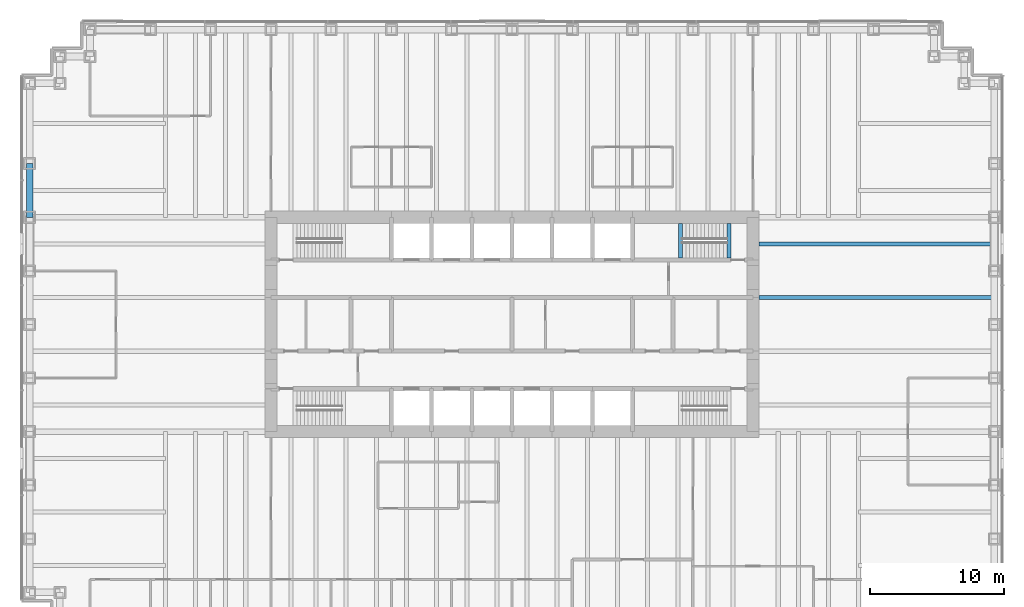
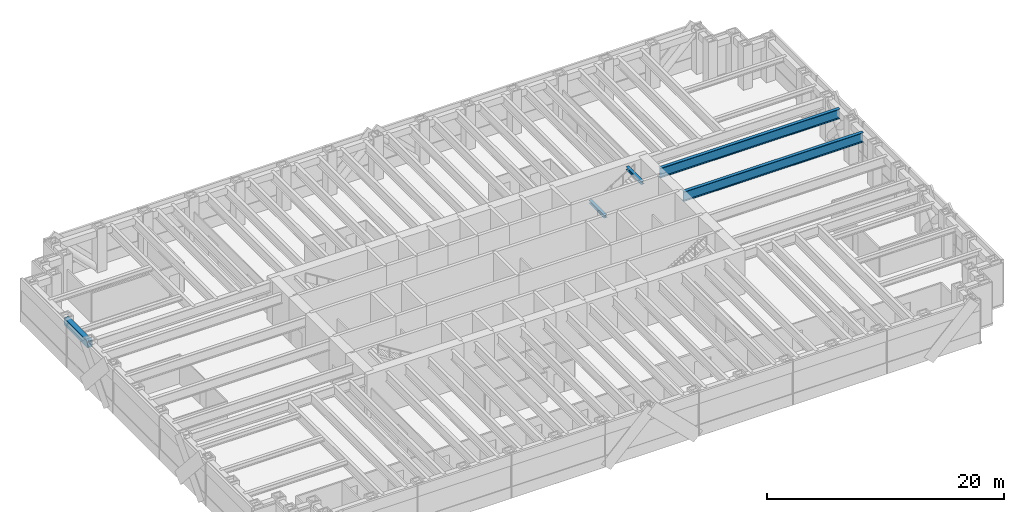
# One storey, part 4 of 13: 5 beams.
"""IFC4 building model written with IfcOpenShell, lengths in metres."""

from ifc_helpers import new_model, si_unit, direction, frame, origin, origin_2d, place, context, subcontext, project, spatial, hollow_rectangle, i_section, extrude, material, material_profile, profile_set, type_object, element, save


model = new_model("IFC4")

# Units and contexts
model_context = context("Model", 3, precision=1e-05, world=origin(), true_north=direction((0.0, 1.0)))
body_context = subcontext(model_context, "Body", "Model", "MODEL_VIEW")
ifc_project = project(units=[si_unit("LENGTHUNIT", "METRE"), si_unit("AREAUNIT", "SQUARE_METRE"), si_unit("VOLUMEUNIT", "CUBIC_METRE"), si_unit("PLANEANGLEUNIT", "RADIAN"), si_unit("MASSUNIT", "GRAM", prefix="KILO")], contexts=[model_context])

# Site, building, storey
site_placement = place(None, origin())
site = spatial("IfcSite", under=ifc_project, at=site_placement, CompositionType="ELEMENT")
building_placement = place(site_placement, origin())
building = spatial("IfcBuilding", under=site, at=building_placement, Name="Rheinbord Bourse Tower", CompositionType="ELEMENT")
storey_placement = place(building_placement, frame((0.0, 0.0, 90.5)))
storey = spatial("IfcBuildingStorey", under=building, at=storey_placement, Name="L19", CompositionType="ELEMENT", Elevation=90.5)

# Beams
ifc_material_1 = material(Name="Steel S460M", Category="steel")
ifc_material_profile_1 = material_profile(ifc_material_1, hollow_rectangle(XDim=0.5, YDim=0.699951171875, WallThickness=0.0400390625, at=origin_2d()), Name="BOX 700x500x40")
ifc_profile_set_1 = profile_set([ifc_material_profile_1], Name="Steel S460M")
beam_type_1 = type_object("IfcBeamType", Name="BELT CHORD BOX 700x500x40", PredefinedType="SPANDREL", material=ifc_profile_set_1)
beam_placement = place(storey_placement, frame((0.0, 36.0, 3.89990234375), z_axis=(0.0, -1.0, 0.0), x_axis=(1.0, 0.0, 0.0)))
element("IfcBeam", 1, at=beam_placement, inside=storey, type_object=beam_type_1, Name="Spandrel W-36-W-32 under L20", PredefinedType="SPANDREL", context=body_context, shape_type="SweptSolid", body=[
    extrude(hollow_rectangle(XDim=0.5, YDim=0.699951171875, WallThickness=0.0400390625, at=origin_2d()), origin(), (0.0, 0.0, 1.0), 4.0),
])
ifc_material_2 = material(Name="Steel S460", Category="steel")
ifc_material_profile_2 = material_profile(ifc_material_2, i_section(OverallWidth=0.302001953125, OverallDepth=1.008056640625, WebThickness=0.02099609375, FlangeThickness=0.0400390625, at=origin_2d()), Name="HEM 1000")
ifc_profile_set_2 = profile_set([ifc_material_profile_2], Name="Steel S460")
beam_type_2 = type_object("IfcBeamType", Name="END BEAM HEM 1000", PredefinedType="BEAM", material=ifc_profile_set_2)
for number, where, z_axis, x_axis, name in (
    (2, (54.449951171875, 26.0, 3.74609375), (1.0, 0.0, 0.0), (0.0, 1.0, 0.0), "End beam east 26 L20"),
    (3, (54.449951171875, 30.0, 3.74609375), (1.0, 0.0, 0.0), (0.0, 1.0, 0.0), "End beam east 30 L20"),
):
    element("IfcBeam", number, at=place(storey_placement, frame(where, z_axis=z_axis, x_axis=x_axis)), inside=storey, type_object=beam_type_2, Name=name, PredefinedType="BEAM", context=body_context, shape_type="SweptSolid", body=[
        extrude(i_section(OverallWidth=0.302001953125, OverallDepth=1.008056640625, WebThickness=0.02099609375, FlangeThickness=0.0400390625, at=origin_2d()), origin(), (0.0, 0.0, 1.0), 17.550048828125),
    ])
ifc_material_3 = material(Name="Steel S460", Category="steel")
ifc_material_profile_3 = material_profile(ifc_material_3, i_section(OverallWidth=0.300048828125, OverallDepth=0.300048828125, WebThickness=0.010986328125, FlangeThickness=0.01904296875, at=origin_2d()), Name="HEB 300")
ifc_profile_set_3 = profile_set([ifc_material_profile_3], Name="Steel S460")
beam_type_3 = type_object("IfcBeamType", Name="LANDING TRIMMER HEB 300", PredefinedType="BEAM", material=ifc_profile_set_3)
for number, where, z_axis, x_axis, name in (
    (4, (48.590087890625, 28.949951171875, 1.89990234375), (0.0, 1.0, 0.0), (-1.0, 0.0, 0.0), "Landing trimmer ST4 L19"),
    (5, (52.199951171875, 28.949951171875, 4.10009765625), (0.0, 1.0, 0.0), (-1.0, 0.0, 0.0), "Well trimmer ST4 under L20"),
):
    element("IfcBeam", number, at=place(storey_placement, frame(where, z_axis=z_axis, x_axis=x_axis)), inside=storey, type_object=beam_type_3, Name=name, PredefinedType="BEAM", context=body_context, shape_type="SweptSolid", body=[
        extrude(i_section(OverallWidth=0.300048828125, OverallDepth=0.300048828125, WebThickness=0.010986328125, FlangeThickness=0.01904296875, at=origin_2d()), origin(), (0.0, 0.0, 1.0), 2.60009765625),
    ])

save(model, "model.ifc")
